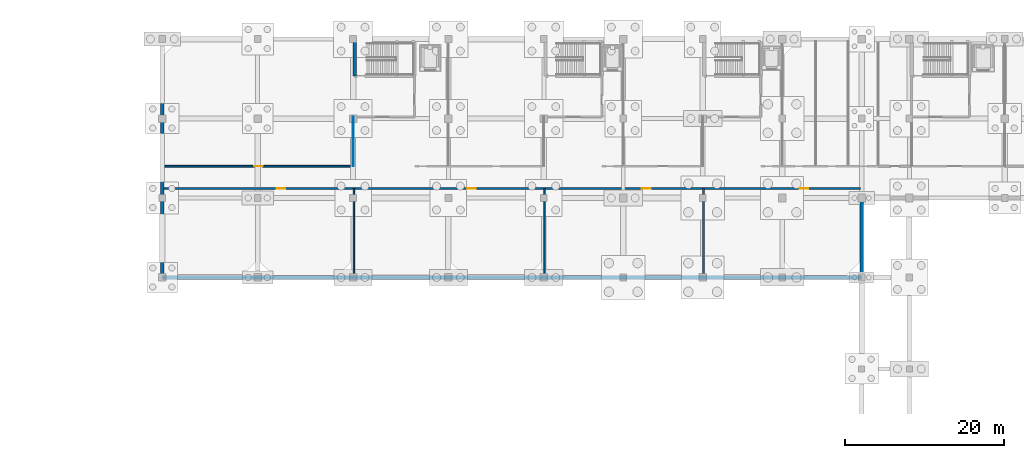
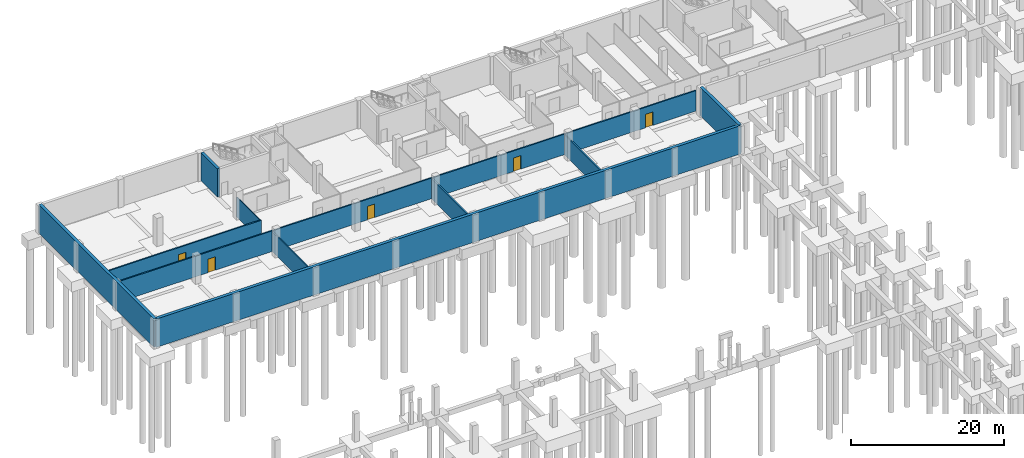
# One storey, part 12 of 19: 13 walls, 5 doors, 5 openings.
"""IFC4 building model written with IfcOpenShell, lengths in metres."""

from ifc_helpers import new_model, si_unit, direction, frame, frame_2d, origin, place, context, subcontext, project, spatial, rectangle, extrude, material, layer, layer_set, type_object, element, fill, save


model = new_model("IFC4")

# Units and contexts
model_context = context("Model", 3, precision=1e-05, world=origin(), true_north=direction((0.0, 1.0)))
body_context = subcontext(model_context, "Body", "Model", "MODEL_VIEW")
ifc_project = project(units=[si_unit("LENGTHUNIT", "METRE"), si_unit("AREAUNIT", "SQUARE_METRE"), si_unit("VOLUMEUNIT", "CUBIC_METRE"), si_unit("PLANEANGLEUNIT", "RADIAN"), si_unit("MASSUNIT", "GRAM", prefix="KILO")], contexts=[model_context])

# Site, building, storey
site_placement = place(None, origin())
site = spatial("IfcSite", under=ifc_project, at=site_placement, CompositionType="ELEMENT")
building_placement = place(site_placement, origin())
building = spatial("IfcBuilding", under=site, at=building_placement, Name="Mersad Railyard Sports Hall", CompositionType="ELEMENT")
storey_placement = place(building_placement, frame((0.0, 0.0, -4.5)))
storey = spatial("IfcBuildingStorey", under=building, at=storey_placement, Name="B1", CompositionType="ELEMENT", Elevation=-4.5)

# Walls
ifc_material_1 = material(Name="Concrete C40/50", Category="concrete")
ifc_layer_1 = layer(ifc_material_1, 0.449951171875)
ifc_layer_set_1 = layer_set([ifc_layer_1], Name="Concrete C40/50")
wall_type_1 = type_object("IfcWallType", Name="ARC-WL-EW05", PredefinedType="SOLIDWALL", material=ifc_layer_set_1)
wall_1_placement = place(storey_placement, frame((43.0, 85.0, 0.0), z_axis=(0.0, 0.0, 1.0), x_axis=(0.0, 1.0, 0.0)))
element("IfcWall", 1, at=wall_1_placement, inside=storey, type_object=wall_type_1, Name="External wall EW05-0001", PredefinedType="SOLIDWALL", context=body_context, shape_type="SweptSolid", body=[
    extrude(rectangle(XDim=30.0, YDim=0.449951171875, at=frame_2d((15.0, 0.0))), origin(), (0.0, 0.0, 1.0), 4.5),
])
wall_2_placement = place(storey_placement, frame((131.0, 95.0, 0.0), z_axis=(0.0, 0.0, 1.0), x_axis=(0.0, -1.0, 0.0)))
element("IfcWall", 2, at=wall_2_placement, inside=storey, type_object=wall_type_1, Name="External wall EW05-0005", PredefinedType="SOLIDWALL", context=body_context, shape_type="SweptSolid", body=[
    extrude(rectangle(XDim=10.0, YDim=0.449951171875, at=frame_2d((5.0, 0.0))), origin(), (0.0, 0.0, 1.0), 4.5),
])
wall_3_placement = place(storey_placement, frame((131.0, 85.0, 0.0), z_axis=(0.0, 0.0, 1.0), x_axis=(-1.0, 0.0, 0.0)))
element("IfcWall", 3, at=wall_3_placement, inside=storey, type_object=wall_type_1, Name="External wall EW05-0006", PredefinedType="SOLIDWALL", context=body_context, shape_type="SweptSolid", body=[
    extrude(rectangle(XDim=88.0, YDim=0.449951171875, at=frame_2d((44.0, 0.0))), origin(), (0.0, 0.0, 1.0), 4.5),
])

# Wall, opening, door
ifc_material_2 = material(Name="Precast concrete C45/55", Category="concrete")
ifc_layer_2 = layer(ifc_material_2, 0.199951171875)
ifc_layer_set_2 = layer_set([ifc_layer_2], Name="Precast concrete C45/55")
wall_type_2 = type_object("IfcWallType", Name="ARC-WL-PT01", PredefinedType="PARTITIONING", material=ifc_layer_set_2)
wall_4_placement = place(storey_placement, frame((43.179931640625, 96.199951171875, 0.0), z_axis=(0.0, 0.0, 1.0), x_axis=(1.0, 0.0, 0.0)))
wall_4 = element("IfcWall", 4, at=wall_4_placement, inside=storey, type_object=wall_type_2, Name="Interior wall PT01-0378", PredefinedType="PARTITIONING", context=body_context, shape_type="SweptSolid", body=[
    extrude(rectangle(XDim=23.920166015625, YDim=0.199951171875, at=frame_2d((11.9599609375, 0.0))), origin(), (0.0, 0.0, 1.0), 3.27490234375),
])
opening_1_placement = place(wall_4_placement, frame((14.2099609375, 0.0, 0.0)))
opening_1 = element("IfcOpeningElement", 5, at=opening_1_placement, cuts=wall_4, Name="Opening FD01", PredefinedType="OPENING", context=body_context, shape_type="SweptSolid", body=[
    extrude(rectangle(XDim=1.10009765625, YDim=2.14990234375, at=frame_2d((0.550048828125, 1.074951171875))), frame((0.0, 0.10986328125, 0.0), z_axis=(0.0, -1.0, 0.0), x_axis=(1.0, 0.0, 0.0)), (0.0, 0.0, 1.0), 0.219970703125),
])
ifc_material_3 = material(Name="Steel S355", Category="steel")
door_type = type_object("IfcDoorType", Name="ARC-DR-FD01", OperationType="NOTDEFINED", PredefinedType="DOOR", material=ifc_material_3)
door_1_placement = place(opening_1_placement, origin())
door_1 = element("IfcDoor", 6, at=door_1_placement, inside=storey, type_object=door_type, Name="B1 south room door FD01-0169", OperationType="SINGLE_SWING_RIGHT", OverallHeight=2.14990234375, OverallWidth=1.10009765625, PredefinedType="DOOR", context=body_context, shape_type="SweptSolid", body=[
    extrude(rectangle(XDim=1.10009765625, YDim=2.14990234375, at=frame_2d((0.550048828125, 1.074951171875))), frame((0.0, 0.02490234375, 0.0), z_axis=(0.0, -1.0, 0.0), x_axis=(1.0, 0.0, 0.0)), (0.0, 0.0, 1.0), 0.050048828125),
])
fill(opening_1, door_1)

wall_5_placement = place(storey_placement, frame((67.10009765625, 96.199951171875, 0.0), z_axis=(0.0, 0.0, 1.0), x_axis=(1.0, 0.0, 0.0)))
wall_5 = element("IfcWall", 7, at=wall_5_placement, inside=storey, type_object=wall_type_2, Name="Interior wall PT01-0379", PredefinedType="PARTITIONING", context=body_context, shape_type="SweptSolid", body=[
    extrude(rectangle(XDim=24.0, YDim=0.199951171875, at=frame_2d((12.0, 0.0))), origin(), (0.0, 0.0, 1.0), 3.27490234375),
])
opening_2_placement = place(wall_5_placement, frame((14.25, 0.0, 0.0)))
opening_2 = element("IfcOpeningElement", 8, at=opening_2_placement, cuts=wall_5, Name="Opening FD01", PredefinedType="OPENING", context=body_context, shape_type="SweptSolid", body=[
    extrude(rectangle(XDim=1.10009765625, YDim=2.14990234375, at=frame_2d((0.550048828125, 1.074951171875))), frame((0.0, 0.10986328125, 0.0), z_axis=(0.0, -1.0, 0.0), x_axis=(1.0, 0.0, 0.0)), (0.0, 0.0, 1.0), 0.219970703125),
])
door_2_placement = place(opening_2_placement, origin())
door_2 = element("IfcDoor", 9, at=door_2_placement, inside=storey, type_object=door_type, Name="B1 south room door FD01-0170", OperationType="SINGLE_SWING_LEFT", OverallHeight=2.14990234375, OverallWidth=1.10009765625, PredefinedType="DOOR", context=body_context, shape_type="SweptSolid", body=[
    extrude(rectangle(XDim=1.10009765625, YDim=2.14990234375, at=frame_2d((0.550048828125, 1.074951171875))), frame((0.0, 0.02490234375, 0.0), z_axis=(0.0, -1.0, 0.0), x_axis=(1.0, 0.0, 0.0)), (0.0, 0.0, 1.0), 0.050048828125),
])
fill(opening_2, door_2)

# Wall
wall_6_placement = place(storey_placement, frame((67.10009765625, 85.219970703125, 0.0), z_axis=(0.0, 0.0, 1.0), x_axis=(0.0, 1.0, 0.0)))
element("IfcWall", 10, at=wall_6_placement, inside=storey, type_object=wall_type_2, Name="Interior wall PT01-0380", PredefinedType="PARTITIONING", context=body_context, shape_type="SweptSolid", body=[
    extrude(rectangle(XDim=10.97998046875, YDim=0.199951171875, at=frame_2d((5.489990234375, 0.0))), origin(), (0.0, 0.0, 1.0), 3.175048828125),
])

# Wall, opening, door
wall_7_placement = place(storey_placement, frame((91.10009765625, 96.199951171875, 0.0), z_axis=(0.0, 0.0, 1.0), x_axis=(1.0, 0.0, 0.0)))
wall_7 = element("IfcWall", 11, at=wall_7_placement, inside=storey, type_object=wall_type_2, Name="Interior wall PT01-0381", PredefinedType="PARTITIONING", context=body_context, shape_type="SweptSolid", body=[
    extrude(rectangle(XDim=20.0, YDim=0.199951171875, at=frame_2d((10.0, 0.0))), origin(), (0.0, 0.0, 1.0), 3.27490234375),
])
opening_3_placement = place(wall_7_placement, frame((12.25, 0.0, 0.0)))
opening_3 = element("IfcOpeningElement", 12, at=opening_3_placement, cuts=wall_7, Name="Opening FD01", PredefinedType="OPENING", context=body_context, shape_type="SweptSolid", body=[
    extrude(rectangle(XDim=1.10009765625, YDim=2.14990234375, at=frame_2d((0.550048828125, 1.074951171875))), frame((0.0, 0.10986328125, 0.0), z_axis=(0.0, -1.0, 0.0), x_axis=(1.0, 0.0, 0.0)), (0.0, 0.0, 1.0), 0.219970703125),
])
door_3_placement = place(opening_3_placement, origin())
door_3 = element("IfcDoor", 13, at=door_3_placement, inside=storey, type_object=door_type, Name="B1 south room door FD01-0171", OperationType="SINGLE_SWING_RIGHT", OverallHeight=2.14990234375, OverallWidth=1.10009765625, PredefinedType="DOOR", context=body_context, shape_type="SweptSolid", body=[
    extrude(rectangle(XDim=1.10009765625, YDim=2.14990234375, at=frame_2d((0.550048828125, 1.074951171875))), frame((0.0, 0.02490234375, 0.0), z_axis=(0.0, -1.0, 0.0), x_axis=(1.0, 0.0, 0.0)), (0.0, 0.0, 1.0), 0.050048828125),
])
fill(opening_3, door_3)

# Wall
wall_8_placement = place(storey_placement, frame((91.10009765625, 85.219970703125, 0.0), z_axis=(0.0, 0.0, 1.0), x_axis=(0.0, 1.0, 0.0)))
element("IfcWall", 14, at=wall_8_placement, inside=storey, type_object=wall_type_2, Name="Interior wall PT01-0382", PredefinedType="PARTITIONING", context=body_context, shape_type="SweptSolid", body=[
    extrude(rectangle(XDim=10.97998046875, YDim=0.199951171875, at=frame_2d((5.489990234375, 0.0))), origin(), (0.0, 0.0, 1.0), 3.175048828125),
])

# Wall, opening, door
wall_9_placement = place(storey_placement, frame((111.10009765625, 96.199951171875, 0.0), z_axis=(0.0, 0.0, 1.0), x_axis=(1.0, 0.0, 0.0)))
wall_9 = element("IfcWall", 15, at=wall_9_placement, inside=storey, type_object=wall_type_2, Name="Interior wall PT01-0383", PredefinedType="PARTITIONING", context=body_context, shape_type="SweptSolid", body=[
    extrude(rectangle(XDim=19.719970703125, YDim=0.199951171875, at=frame_2d((9.85986328125, 0.0))), origin(), (0.0, 0.0, 1.0), 3.27490234375),
])
opening_4_placement = place(wall_9_placement, frame((12.110107421875, 0.0, 0.0)))
opening_4 = element("IfcOpeningElement", 16, at=opening_4_placement, cuts=wall_9, Name="Opening FD01", PredefinedType="OPENING", context=body_context, shape_type="SweptSolid", body=[
    extrude(rectangle(XDim=1.10009765625, YDim=2.14990234375, at=frame_2d((0.550048828125, 1.074951171875))), frame((0.0, 0.10986328125, 0.0), z_axis=(0.0, -1.0, 0.0), x_axis=(1.0, 0.0, 0.0)), (0.0, 0.0, 1.0), 0.219970703125),
])
door_4_placement = place(opening_4_placement, origin())
door_4 = element("IfcDoor", 17, at=door_4_placement, inside=storey, type_object=door_type, Name="B1 south room door FD01-0172", OperationType="SINGLE_SWING_LEFT", OverallHeight=2.14990234375, OverallWidth=1.10009765625, PredefinedType="DOOR", context=body_context, shape_type="SweptSolid", body=[
    extrude(rectangle(XDim=1.10009765625, YDim=2.14990234375, at=frame_2d((0.550048828125, 1.074951171875))), frame((0.0, 0.02490234375, 0.0), z_axis=(0.0, -1.0, 0.0), x_axis=(1.0, 0.0, 0.0)), (0.0, 0.0, 1.0), 0.050048828125),
])
fill(opening_4, door_4)

# Wall
wall_10_placement = place(storey_placement, frame((111.10009765625, 85.219970703125, 0.0), z_axis=(0.0, 0.0, 1.0), x_axis=(0.0, 1.0, 0.0)))
element("IfcWall", 18, at=wall_10_placement, inside=storey, type_object=wall_type_2, Name="Interior wall PT01-0384", PredefinedType="PARTITIONING", context=body_context, shape_type="SweptSolid", body=[
    extrude(rectangle(XDim=10.97998046875, YDim=0.199951171875, at=frame_2d((5.489990234375, 0.0))), origin(), (0.0, 0.0, 1.0), 3.175048828125),
])

# Wall, opening, door
wall_11_placement = place(storey_placement, frame((43.179931640625, 99.0, 0.0), z_axis=(0.0, 0.0, 1.0), x_axis=(1.0, 0.0, 0.0)))
wall_11 = element("IfcWall", 19, at=wall_11_placement, inside=storey, type_object=wall_type_2, Name="Interior wall PT01-0385", PredefinedType="PARTITIONING", context=body_context, shape_type="SweptSolid", body=[
    extrude(rectangle(XDim=23.820068359375, YDim=0.199951171875, at=frame_2d((11.91015625, 0.0))), origin(), (0.0, 0.0, 1.0), 3.27490234375),
])
opening_5_placement = place(wall_11_placement, frame((11.360107421875, 0.0, 0.0)))
opening_5 = element("IfcOpeningElement", 20, at=opening_5_placement, cuts=wall_11, Name="Opening FD01", PredefinedType="OPENING", context=body_context, shape_type="SweptSolid", body=[
    extrude(rectangle(XDim=1.10009765625, YDim=2.14990234375, at=frame_2d((0.550048828125, 1.074951171875))), frame((0.0, 0.10986328125, 0.0), z_axis=(0.0, -1.0, 0.0), x_axis=(1.0, 0.0, 0.0)), (0.0, 0.0, 1.0), 0.219970703125),
])
door_5_placement = place(opening_5_placement, origin())
door_5 = element("IfcDoor", 21, at=door_5_placement, inside=storey, type_object=door_type, Name="B1 north room door FD01-0173", OperationType="SINGLE_SWING_RIGHT", OverallHeight=2.14990234375, OverallWidth=1.10009765625, PredefinedType="DOOR", context=body_context, shape_type="SweptSolid", body=[
    extrude(rectangle(XDim=1.10009765625, YDim=2.14990234375, at=frame_2d((0.550048828125, 1.074951171875))), frame((0.0, 0.02490234375, 0.0), z_axis=(0.0, -1.0, 0.0), x_axis=(1.0, 0.0, 0.0)), (0.0, 0.0, 1.0), 0.050048828125),
])
fill(opening_5, door_5)

# Walls
ifc_material_4 = material(Name="Gypsum plasterboard", Category="gypsum")
ifc_layer_3 = layer(ifc_material_4, 0.1201171875)
ifc_layer_set_3 = layer_set([ifc_layer_3], Name="Gypsum plasterboard")
wall_type_3 = type_object("IfcWallType", Name="ARC-WL-PT04", PredefinedType="PARTITIONING", material=ifc_layer_set_3)
wall_12_placement = place(storey_placement, frame((67.0, 99.0, 0.0), z_axis=(0.0, 0.0, 1.0), x_axis=(0.0, 1.0, 0.0)))
element("IfcWall", 22, at=wall_12_placement, inside=storey, type_object=wall_type_3, Name="Interior wall PT04-0386", PredefinedType="PARTITIONING", context=body_context, shape_type="SweptSolid", body=[
    extrude(rectangle(XDim=6.199951171875, YDim=0.1201171875, at=frame_2d((3.10009765625, 0.0))), origin(), (0.0, 0.0, 1.0), 3.175048828125),
])
ifc_material_5 = material(Name="Concrete C50/60", Category="concrete")
ifc_layer_4 = layer(ifc_material_5, 0.39990234375)
ifc_layer_set_4 = layer_set([ifc_layer_4], Name="Concrete C50/60")
wall_type_4 = type_object("IfcWallType", Name="STR-WL-SW01", PredefinedType="SHEAR", material=ifc_layer_set_4)
wall_13_placement = place(storey_placement, frame((67.199951171875, 114.6201171875, 0.0), z_axis=(0.0, 0.0, 1.0), x_axis=(0.0, -1.0, 0.0)))
element("IfcWall", 23, at=wall_13_placement, inside=storey, type_object=wall_type_4, Name="Interior wall SW01-0153", PredefinedType="SHEAR", context=body_context, shape_type="SweptSolid", body=[
    extrude(rectangle(XDim=4.240234375, YDim=0.39990234375, at=frame_2d((2.1201171875, 0.0))), origin(), (0.0, 0.0, 1.0), 4.5),
])

save(model, "model.ifc")
